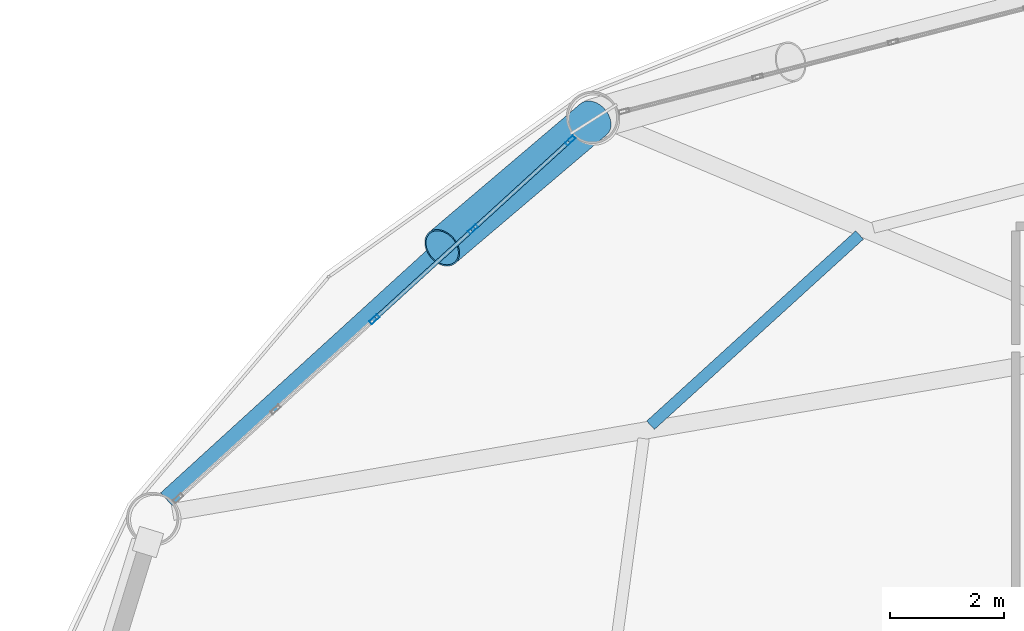
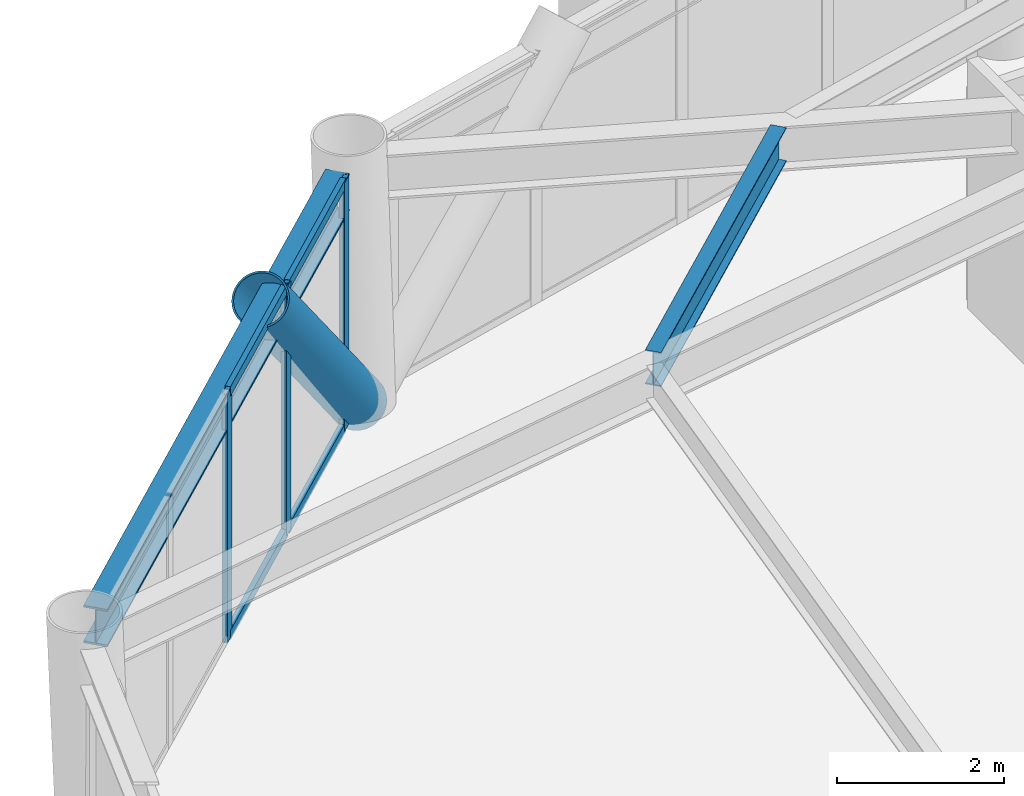
# One storey, part 16 of 26: 8 members, 2 beams, 1 element without a shape of its own.
"""IFC4 building model written with IfcOpenShell, lengths in metres."""

import ifcopenshell
import ifcopenshell.guid

model = None  # the IFC model being written
_history = None  # IfcOwnerHistory: only IFC2X3 demands one
_inside = {}  # id of a spatial element -> (the spatial element, [elements in it])
_under = {}  # id of a project, library or spatial element -> (it, [spatial elements below it])
_declared = {}  # id of a project -> (the project, [libraries it declares])
_typed = {}  # id of a type object -> (the type object, [elements of that type])
_made_of = {}  # id of a material, layer set ... -> (it, [elements and type objects made of it])


def new_model(schema):
    """Start an empty IFC model of exactly this schema.

    Asked for "IFC4X3", IfcOpenShell would pick the latest addendum, in which some entities
    have other attributes; the version numbers below select the first issue.
    IFC2X3 requires an IfcOwnerHistory on every rooted entity: one is made here for all.
    """
    global model, _history
    if schema == "IFC4X3":
        model = ifcopenshell.file(schema_version=(4, 3, 0, 0))
    else:
        model = ifcopenshell.file(schema=schema)
    _inside.clear()
    _under.clear()
    _declared.clear()
    _typed.clear()
    _made_of.clear()
    _history = None
    if model.schema == "IFC2X3":
        org = make("IfcOrganization", Name="unknown")
        user = make(
            "IfcPersonAndOrganization",
            ThePerson=make("IfcPerson", FamilyName="unknown"),
            TheOrganization=org,
        )
        app = make(
            "IfcApplication",
            ApplicationDeveloper=org,
            Version="unknown",
            ApplicationFullName="unknown",
            ApplicationIdentifier="unknown",
        )
        _history = make(
            "IfcOwnerHistory",
            OwningUser=user,
            OwningApplication=app,
            ChangeAction="ADDED",
            CreationDate=0,
        )
    return model


def make(cls, **values):
    """One entity of the class cls with the attributes given. An attribute that is None is left unset."""
    return model.create_entity(
        cls, **{name: value for name, value in values.items() if value is not None}
    )


def rooted(cls, **values):
    """An entity with a GlobalId (a new one), such as an element, a storey or a relation."""
    return make(cls, GlobalId=ifcopenshell.guid.new(), OwnerHistory=_history, **values)


def si_unit(unit_type, name, prefix=None):
    """IfcSIUnit, for example si_unit("LENGTHUNIT", "METRE", prefix="MILLI")."""
    return make("IfcSIUnit", UnitType=unit_type, Prefix=prefix, Name=name)


def assignment(units):
    """IfcUnitAssignment: the units of a project."""
    return None if units is None else make("IfcUnitAssignment", Units=units)


def point(xyz):
    """IfcCartesianPoint."""
    return None if xyz is None else make("IfcCartesianPoint", Coordinates=xyz)


def direction(xyz):
    """IfcDirection."""
    return None if xyz is None else make("IfcDirection", DirectionRatios=xyz)


def frame(location, z_axis=None, x_axis=None):
    """IfcAxis2Placement3D, a coordinate frame: its origin and axes. An axis left out is left unset."""
    return make(
        "IfcAxis2Placement3D",
        Location=point(location),
        Axis=direction(z_axis),
        RefDirection=direction(x_axis),
    )


def frame_2d(location, x_axis=None):
    """IfcAxis2Placement2D, a coordinate frame in the plane: its origin and x axis."""
    return make(
        "IfcAxis2Placement2D", Location=point(location), RefDirection=direction(x_axis)
    )


def origin():
    """The frame at (0, 0, 0) with its axes left unset."""
    return frame((0.0, 0.0, 0.0))


def origin_2d():
    """The frame at (0, 0) in the plane with its x axis left unset."""
    return frame_2d((0.0, 0.0))


def place(relative_to, where):
    """IfcLocalPlacement: puts the frame where relative to a parent placement (None: the world)."""
    return make(
        "IfcLocalPlacement", PlacementRelTo=relative_to, RelativePlacement=where
    )


def context(
    kind, dimensions, precision=None, world=None, true_north=None, identifier=None
):
    """IfcGeometricRepresentationContext, for example the 3D "Model" context."""
    return make(
        "IfcGeometricRepresentationContext",
        ContextIdentifier=identifier,
        ContextType=kind,
        CoordinateSpaceDimension=dimensions,
        Precision=precision,
        WorldCoordinateSystem=world,
        TrueNorth=true_north,
    )


def subcontext(parent, identifier, kind, view, scale=None):
    """IfcGeometricRepresentationSubContext, for example "Body" below "Model"."""
    return make(
        "IfcGeometricRepresentationSubContext",
        ContextIdentifier=identifier,
        ContextType=kind,
        ParentContext=parent,
        TargetScale=scale,
        TargetView=view,
    )


def project(units=None, contexts=None):
    """IfcProject with its units and contexts."""
    return rooted(
        "IfcProject",
        Name="project",
        RepresentationContexts=contexts,
        UnitsInContext=assignment(units),
    )


def spatial(cls, under=None, at=None, **own):
    """A site, building, storey or space (cls), placed at a placement, below another one or the project."""
    s = rooted(cls, ObjectPlacement=at, **own)
    if under is not None:
        _under.setdefault(under.id(), (under, []))[1].append(s)
    return s


def profile(cls, at=None, kind="AREA", **sizes):
    """A parametric profile (cls). Its sizes go by their IFC names, for example OverallWidth=200.0."""
    return make(cls, ProfileType=kind, Position=at, **sizes)


def hollow_rectangle(**sizes):
    """IfcRectangleHollowProfileDef."""
    return profile("IfcRectangleHollowProfileDef", **sizes)


def hollow_circle(**sizes):
    """IfcCircleHollowProfileDef."""
    return profile("IfcCircleHollowProfileDef", **sizes)


def i_section(**sizes):
    """IfcIShapeProfileDef."""
    return profile("IfcIShapeProfileDef", **sizes)


def extrude(swept, where, along, depth):
    """IfcExtrudedAreaSolid: the profile swept, set in the frame where, extruded along a direction by depth."""
    return make(
        "IfcExtrudedAreaSolid",
        SweptArea=swept,
        Position=where,
        ExtrudedDirection=direction(along),
        Depth=depth,
    )


def shape(context_of_items, identifier, shape_type, items):
    """IfcShapeRepresentation: the items that make up one representation, for example the "Body"."""
    return make(
        "IfcShapeRepresentation",
        ContextOfItems=context_of_items,
        RepresentationIdentifier=identifier,
        RepresentationType=shape_type,
        Items=items,
    )


def material(Name=None, Category=None):
    """IfcMaterial."""
    return make("IfcMaterial", Name=Name, Category=Category)


def layer(
    of_material, thickness, ventilated=None, Name=None, Category=None, Priority=None
):
    """IfcMaterialLayer: one layer of a wall or slab, of a material (None: an air gap)."""
    return make(
        "IfcMaterialLayer",
        Material=of_material,
        LayerThickness=thickness,
        IsVentilated=ventilated,
        Name=Name,
        Category=Category,
        Priority=Priority,
    )


def layer_set(layers, Name=None):
    """IfcMaterialLayerSet."""
    return make("IfcMaterialLayerSet", MaterialLayers=layers, LayerSetName=Name)


def material_profile(
    of_material, cross_section, Name=None, Category=None, Priority=None
):
    """IfcMaterialProfile: a cross section and its material."""
    return make(
        "IfcMaterialProfile",
        Name=Name,
        Material=of_material,
        Profile=cross_section,
        Priority=Priority,
        Category=Category,
    )


def profile_set(profiles, Name=None, composite=None):
    """IfcMaterialProfileSet."""
    return make(
        "IfcMaterialProfileSet",
        Name=Name,
        MaterialProfiles=profiles,
        CompositeProfile=composite,
    )


def made_of(thing, what):
    """Note that an element or type object is made of a material, layer set ...; save() writes the relation."""
    if what is not None:
        _made_of.setdefault(what.id(), (what, []))[1].append(thing)
    return thing


def type_object(cls, material=None, **own):
    """A type object (cls), such as IfcWallType, which elements share."""
    return made_of(rooted(cls, **own), material)


def element(
    cls,
    number,
    at=None,
    inside=None,
    cuts=None,
    type_object=None,
    material=None,
    context=None,
    identifier="Body",
    shape_type=None,
    held_by="IfcProductDefinitionShape",
    body=None,
    shapes=None,
    **own,
):
    """One element of the class cls, such as IfcWall. Its Tag is "e" and its number.

    at: its placement. inside: the storey or other place that contains it. cuts: it is an
    opening in that element (IfcRelVoidsElement). A single representation is given by context,
    identifier, shape_type and body (its items); several are given by shapes. held_by: the class
    of the entity that holds the representations. save() writes the other relations.
    """
    e = rooted(cls, Tag="e%d" % number, ObjectPlacement=at, **own)
    if body is not None:
        shapes = [shape(context, identifier, shape_type, body)]
    if shapes is not None:
        e.Representation = make(held_by, Representations=shapes)
    if inside is not None:
        _inside.setdefault(inside.id(), (inside, []))[1].append(e)
    if cuts is not None:
        rooted(
            "IfcRelVoidsElement", RelatingBuildingElement=cuts, RelatedOpeningElement=e
        )
    if type_object is not None:
        _typed.setdefault(type_object.id(), (type_object, []))[1].append(e)
    return made_of(e, material)


def aggregate(whole, parts):
    """IfcRelAggregates: a whole, such as a stair, and the parts it consists of."""
    return rooted("IfcRelAggregates", RelatingObject=whole, RelatedObjects=parts)


def save(model, path):
    """Write the relations noted so far, then the file.

    IfcRelAggregates (storeys below a building ...), IfcRelContainedInSpatialStructure (elements
    in a storey), IfcRelDefinesByType, IfcRelAssociatesMaterial and IfcRelDeclares: one each for
    every whole, place, type object, material and project.
    """
    for whole, parts in _under.values():
        aggregate(whole, parts)
    for where, things in _inside.values():
        rooted(
            "IfcRelContainedInSpatialStructure",
            RelatedElements=things,
            RelatingStructure=where,
        )
    for kind, things in _typed.values():
        rooted("IfcRelDefinesByType", RelatedObjects=things, RelatingType=kind)
    for what, things in _made_of.values():
        rooted("IfcRelAssociatesMaterial", RelatedObjects=things, RelatingMaterial=what)
    for by, libraries in _declared.values():
        rooted("IfcRelDeclares", RelatingContext=by, RelatedDefinitions=libraries)
    model.write(path)


model = new_model("IFC4")

# Units and contexts
model_context = context("Model", 3, precision=1e-05, world=origin(), true_north=direction((0.0, 1.0)))
body_context = subcontext(model_context, "Body", "Model", "MODEL_VIEW")
ifc_project = project(units=[si_unit("LENGTHUNIT", "METRE"), si_unit("AREAUNIT", "SQUARE_METRE"), si_unit("VOLUMEUNIT", "CUBIC_METRE"), si_unit("PLANEANGLEUNIT", "RADIAN"), si_unit("MASSUNIT", "GRAM", prefix="KILO")], contexts=[model_context])

# Site, building, storey
site_placement = place(None, origin())
site = spatial("IfcSite", under=ifc_project, at=site_placement, CompositionType="ELEMENT")
building_placement = place(site_placement, origin())
building = spatial("IfcBuilding", under=site, at=building_placement, Name="Varnakorn Sky Granary", CompositionType="ELEMENT")
storey_placement = place(building_placement, frame((0.0, 0.0, 51.0)))
storey = spatial("IfcBuildingStorey", under=building, at=storey_placement, Name="L12", CompositionType="ELEMENT", Elevation=51.0)

# Beams
ifc_material_1 = material(Name="Steel S355JR", Category="steel")
ifc_material_profile_1 = material_profile(ifc_material_1, i_section(OverallWidth=0.199951171875, OverallDepth=0.5, WebThickness=0.01025390625, FlangeThickness=0.01611328125, at=origin_2d()), Name="IPE 500")
ifc_profile_set_1 = profile_set([ifc_material_profile_1], Name="Steel S355JR")
beam_type_1 = type_object("IfcBeamType", Name="BM-SEC-Z1", PredefinedType="BEAM", material=ifc_profile_set_1)
beam_1_placement = place(storey_placement, frame((-7.3330078125, 14.5478515625, 3.389892578125), z_axis=(-0.739549042803, -0.673102676632, 0.0), x_axis=(0.673102676632, -0.739549042803, 0.0)))
element("IfcBeam", 1, at=beam_1_placement, inside=storey, type_object=beam_type_1, Name="Secondary Floor Chord Beam MSB05 L12", PredefinedType="BEAM", context=body_context, shape_type="SweptSolid", body=[
    extrude(i_section(OverallWidth=0.199951171875, OverallDepth=0.5, WebThickness=0.01025390625, FlangeThickness=0.01611328125, at=origin_2d()), origin(), (0.0, 0.0, 1.0), 4.945556640625),
])
ifc_material_profile_2 = material_profile(ifc_material_1, i_section(OverallWidth=0.300048828125, OverallDepth=0.550048828125, WebThickness=0.014892578125, FlangeThickness=0.029052734375, at=origin_2d()), Name="HE 550 B")
ifc_profile_set_2 = profile_set([ifc_material_profile_2], Name="Steel S355JR")
beam_type_2 = type_object("IfcBeamType", Name="BM-SPD-Z1", PredefinedType="SPANDREL", material=ifc_profile_set_2)
beam_2_placement = place(storey_placement, frame((-12.385986328125, 16.375, 3.364990234375), z_axis=(-0.739023413374, -0.67367974178, 0.0), x_axis=(0.67367974178, -0.739023413374, 0.0)))
element("IfcBeam", 2, at=beam_2_placement, inside=storey, type_object=beam_type_2, Name="Perimeter Spandrel Ring Beam RB05 L12", PredefinedType="SPANDREL", context=body_context, shape_type="SweptSolid", body=[
    extrude(i_section(OverallWidth=0.300048828125, OverallDepth=0.550048828125, WebThickness=0.014892578125, FlangeThickness=0.029052734375, at=origin_2d()), origin(), (0.0, 0.0, 1.0), 9.575927734375),
])

# Curtain wall, members
ifc_material_2 = material(Name="Anodised Bronze Aluminium Alloy 6063-T6", Category="aluminium")
ifc_layer = layer(ifc_material_2, 0.18994140625, Name="Anodised Bronze Aluminium Alloy 6063-T6")
ifc_layer_set = layer_set([ifc_layer], Name="Anodised Bronze Aluminium Alloy 6063-T6")
curtain_wall_type = type_object("IfcCurtainWallType", Name="CW-FRM-1", PredefinedType="USERDEFINED", material=ifc_layer_set)
curtain_wall_placement = place(storey_placement, origin())
curtain_wall = element("IfcCurtainWall", 3, at=curtain_wall_placement, inside=storey, type_object=curtain_wall_type, Name="Unitised Curtain Wall CW3 CW-L12-B05", ObjectType="CURTAIN WALL", PredefinedType="USERDEFINED")
ifc_material_profile_3 = material_profile(ifc_material_2, hollow_rectangle(XDim=0.070068359375, YDim=0.18505859375, WallThickness=0.00390625, at=origin_2d()), Name="ALU MULL 70x185")
ifc_profile_set_3 = profile_set([ifc_material_profile_3], Name="Anodised Bronze Aluminium Alloy 6063-T6")
member_type_1 = type_object("IfcMemberType", Name="CW-FRM-1-MULL", PredefinedType="MULLION", material=ifc_profile_set_3)
member_1_placement = place(storey_placement, frame((-15.824951171875, 13.071533203125, 0.0), z_axis=(0.0, 0.0, 1.0), x_axis=(-0.674049155123, 0.73868649404, 0.0)))
member_1 = element("IfcMember", 4, at=member_1_placement, type_object=member_type_1, Name="CW3 mullion 3", PredefinedType="MULLION", context=body_context, shape_type="SweptSolid", body=[
    extrude(hollow_rectangle(XDim=0.070068359375, YDim=0.18505859375, WallThickness=0.00390625, at=origin_2d()), origin(), (0.0, 0.0, 1.0), 3.639892578125),
])
member_2_placement = place(storey_placement, frame((-14.0966796875, 14.6484375, 0.0), z_axis=(0.0, 0.0, 1.0), x_axis=(-0.674049155123, 0.73868649404, 0.0)))
member_2 = element("IfcMember", 5, at=member_2_placement, type_object=member_type_1, Name="CW3 mullion 4", PredefinedType="MULLION", context=body_context, shape_type="SweptSolid", body=[
    extrude(hollow_rectangle(XDim=0.070068359375, YDim=0.18505859375, WallThickness=0.00390625, at=origin_2d()), origin(), (0.0, 0.0, 1.0), 3.639892578125),
])
member_3_placement = place(storey_placement, frame((-12.394287109375, 16.201904296875, 0.0), z_axis=(0.0, 0.0, 1.0), x_axis=(-0.674049155123, 0.73868649404, 0.0)))
member_3 = element("IfcMember", 6, at=member_3_placement, type_object=member_type_1, Name="CW3 mullion 5", PredefinedType="MULLION", context=body_context, shape_type="SweptSolid", body=[
    extrude(hollow_rectangle(XDim=0.070068359375, YDim=0.18505859375, WallThickness=0.00390625, at=origin_2d()), origin(), (0.0, 0.0, 1.0), 3.639892578125),
])
ifc_material_profile_4 = material_profile(ifc_material_2, hollow_rectangle(XDim=0.070068359375, YDim=0.139892578125, WallThickness=0.00341796875, at=origin_2d()), Name="ALU TRAN 70x140")
ifc_profile_set_4 = profile_set([ifc_material_profile_4], Name="Anodised Bronze Aluminium Alloy 6063-T6")
member_type_2 = type_object("IfcMemberType", Name="CW-FRM-1-TRAN", PredefinedType="USERDEFINED", material=ifc_profile_set_4)
member_4_placement = place(storey_placement, frame((-15.799072265625, 13.094970703125, 0.034912109375), z_axis=(0.738639168697, 0.674101015032, 0.0), x_axis=(-0.674101015032, 0.738639168697, 0.0)))
member_4 = element("IfcMember", 7, at=member_4_placement, type_object=member_type_2, Name="CW3 transom 3.1", ObjectType="TRANSOM", PredefinedType="USERDEFINED", context=body_context, shape_type="SweptSolid", body=[
    extrude(hollow_rectangle(XDim=0.070068359375, YDim=0.139892578125, WallThickness=0.00341796875, at=origin_2d()), origin(), (0.0, 0.0, 1.0), 2.269775390625),
])
member_5_placement = place(storey_placement, frame((-15.799072265625, 13.094970703125, 3.60498046875), z_axis=(0.738639168697, 0.674101015032, 0.0), x_axis=(-0.674101015032, 0.738639168697, 0.0)))
member_5 = element("IfcMember", 8, at=member_5_placement, type_object=member_type_2, Name="CW3 transom 3.2", ObjectType="TRANSOM", PredefinedType="USERDEFINED", context=body_context, shape_type="SweptSolid", body=[
    extrude(hollow_rectangle(XDim=0.070068359375, YDim=0.139892578125, WallThickness=0.00341796875, at=origin_2d()), origin(), (0.0, 0.0, 1.0), 2.269775390625),
])
member_6_placement = place(storey_placement, frame((-14.07080078125, 14.672119140625, 0.034912109375), z_axis=(0.738707803791, 0.674025801152, 0.0), x_axis=(-0.674025801152, 0.738707803791, 0.0)))
member_6 = element("IfcMember", 9, at=member_6_placement, type_object=member_type_2, Name="CW3 transom 4.1", ObjectType="TRANSOM", PredefinedType="USERDEFINED", context=body_context, shape_type="SweptSolid", body=[
    extrude(hollow_rectangle(XDim=0.070068359375, YDim=0.139892578125, WallThickness=0.00341796875, at=origin_2d()), origin(), (0.0, 0.0, 1.0), 2.234375),
])
member_7_placement = place(storey_placement, frame((-14.07080078125, 14.672119140625, 3.60498046875), z_axis=(0.738707803791, 0.674025801152, 0.0), x_axis=(-0.674025801152, 0.738707803791, 0.0)))
member_7 = element("IfcMember", 10, at=member_7_placement, type_object=member_type_2, Name="CW3 transom 4.2", ObjectType="TRANSOM", PredefinedType="USERDEFINED", context=body_context, shape_type="SweptSolid", body=[
    extrude(hollow_rectangle(XDim=0.070068359375, YDim=0.139892578125, WallThickness=0.00341796875, at=origin_2d()), origin(), (0.0, 0.0, 1.0), 2.234375),
])
aggregate(curtain_wall, [member_1, member_2, member_3, member_4, member_5, member_6, member_7])

# Member
ifc_material_3 = material(Name="Steel S460M", Category="steel")
ifc_material_profile_5 = material_profile(ifc_material_3, hollow_circle(Radius=0.35546875, WallThickness=0.02490234375, at=origin_2d()), Name="CHS 711x25")
ifc_profile_set_5 = profile_set([ifc_material_profile_5], Name="Steel S460M")
member_type_3 = type_object("IfcMemberType", Name="MB-DIAG-T0", PredefinedType="BRACE", material=ifc_profile_set_5)
member_8_placement = place(storey_placement, frame((-11.986572265625, 16.573974609375, 0.0), z_axis=(-0.515214202308, -0.437549921927, 0.736956166648), x_axis=(0.647320139144, -0.762218234798, 0.0)))
element("IfcMember", 11, at=member_8_placement, inside=storey, type_object=member_type_3, Name="Perimeter CHS Diagrid Brace DG05 L12", PredefinedType="BRACE", context=body_context, shape_type="SweptSolid", body=[
    extrude(hollow_circle(Radius=0.35546875, WallThickness=0.02490234375, at=origin_2d()), origin(), (0.0, 0.0, 1.0), 5.142822265625),
])

save(model, "model.ifc")
